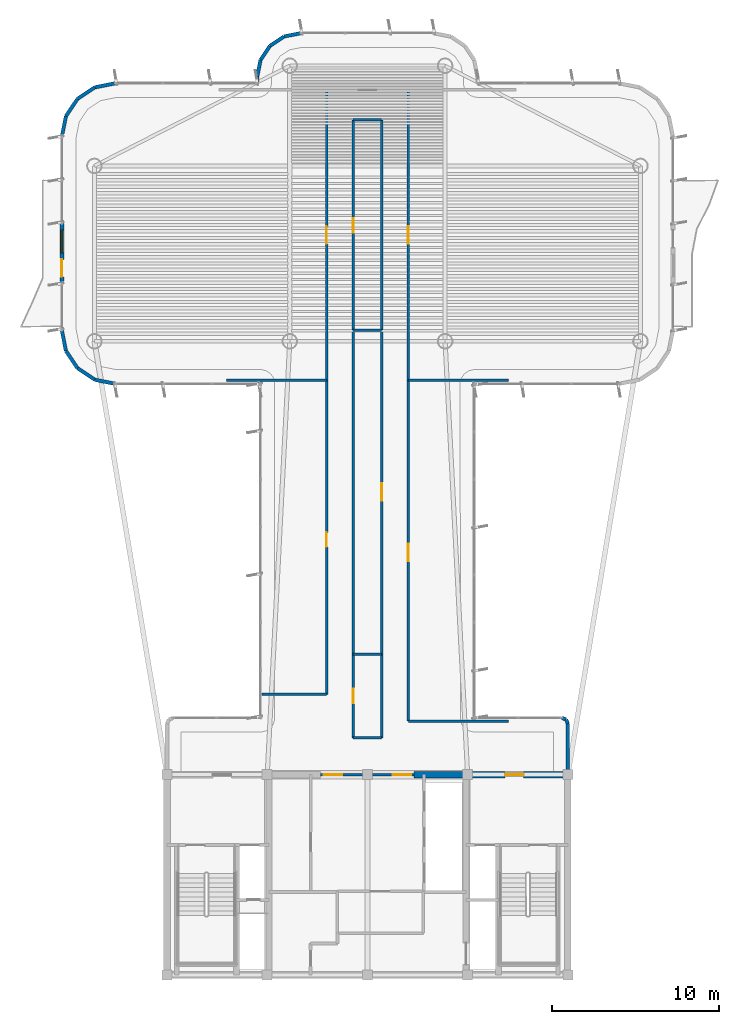
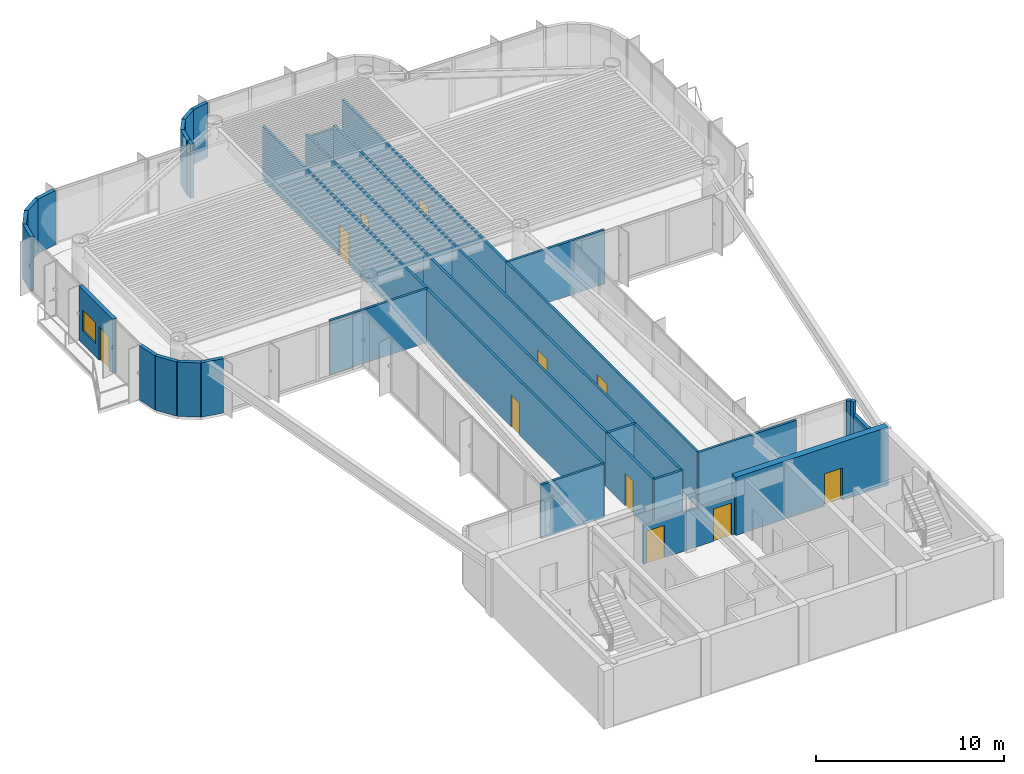
# One storey, part 11 of 14: 37 walls, 11 doors, 1 window, 12 openings.
"""IFC4 building model written with IfcOpenShell, lengths in metres."""

import ifcopenshell
import ifcopenshell.guid

model = None  # the IFC model being written
_history = None  # IfcOwnerHistory: only IFC2X3 demands one
_inside = {}  # id of a spatial element -> (the spatial element, [elements in it])
_under = {}  # id of a project, library or spatial element -> (it, [spatial elements below it])
_declared = {}  # id of a project -> (the project, [libraries it declares])
_typed = {}  # id of a type object -> (the type object, [elements of that type])
_made_of = {}  # id of a material, layer set ... -> (it, [elements and type objects made of it])


def new_model(schema):
    """Start an empty IFC model of exactly this schema.

    Asked for "IFC4X3", IfcOpenShell would pick the latest addendum, in which some entities
    have other attributes; the version numbers below select the first issue.
    IFC2X3 requires an IfcOwnerHistory on every rooted entity: one is made here for all.
    """
    global model, _history
    if schema == "IFC4X3":
        model = ifcopenshell.file(schema_version=(4, 3, 0, 0))
    else:
        model = ifcopenshell.file(schema=schema)
    _inside.clear()
    _under.clear()
    _declared.clear()
    _typed.clear()
    _made_of.clear()
    _history = None
    if model.schema == "IFC2X3":
        org = make("IfcOrganization", Name="unknown")
        user = make(
            "IfcPersonAndOrganization",
            ThePerson=make("IfcPerson", FamilyName="unknown"),
            TheOrganization=org,
        )
        app = make(
            "IfcApplication",
            ApplicationDeveloper=org,
            Version="unknown",
            ApplicationFullName="unknown",
            ApplicationIdentifier="unknown",
        )
        _history = make(
            "IfcOwnerHistory",
            OwningUser=user,
            OwningApplication=app,
            ChangeAction="ADDED",
            CreationDate=0,
        )
    return model


def make(cls, **values):
    """One entity of the class cls with the attributes given. An attribute that is None is left unset."""
    return model.create_entity(
        cls, **{name: value for name, value in values.items() if value is not None}
    )


def rooted(cls, **values):
    """An entity with a GlobalId (a new one), such as an element, a storey or a relation."""
    return make(cls, GlobalId=ifcopenshell.guid.new(), OwnerHistory=_history, **values)


def si_unit(unit_type, name, prefix=None):
    """IfcSIUnit, for example si_unit("LENGTHUNIT", "METRE", prefix="MILLI")."""
    return make("IfcSIUnit", UnitType=unit_type, Prefix=prefix, Name=name)


def assignment(units):
    """IfcUnitAssignment: the units of a project."""
    return None if units is None else make("IfcUnitAssignment", Units=units)


def point(xyz):
    """IfcCartesianPoint."""
    return None if xyz is None else make("IfcCartesianPoint", Coordinates=xyz)


def direction(xyz):
    """IfcDirection."""
    return None if xyz is None else make("IfcDirection", DirectionRatios=xyz)


def frame(location, z_axis=None, x_axis=None):
    """IfcAxis2Placement3D, a coordinate frame: its origin and axes. An axis left out is left unset."""
    return make(
        "IfcAxis2Placement3D",
        Location=point(location),
        Axis=direction(z_axis),
        RefDirection=direction(x_axis),
    )


def frame_2d(location, x_axis=None):
    """IfcAxis2Placement2D, a coordinate frame in the plane: its origin and x axis."""
    return make(
        "IfcAxis2Placement2D", Location=point(location), RefDirection=direction(x_axis)
    )


def origin():
    """The frame at (0, 0, 0) with its axes left unset."""
    return frame((0.0, 0.0, 0.0))


def origin_2d():
    """The frame at (0, 0) in the plane with its x axis left unset."""
    return frame_2d((0.0, 0.0))


def place(relative_to, where):
    """IfcLocalPlacement: puts the frame where relative to a parent placement (None: the world)."""
    return make(
        "IfcLocalPlacement", PlacementRelTo=relative_to, RelativePlacement=where
    )


def context(
    kind, dimensions, precision=None, world=None, true_north=None, identifier=None
):
    """IfcGeometricRepresentationContext, for example the 3D "Model" context."""
    return make(
        "IfcGeometricRepresentationContext",
        ContextIdentifier=identifier,
        ContextType=kind,
        CoordinateSpaceDimension=dimensions,
        Precision=precision,
        WorldCoordinateSystem=world,
        TrueNorth=true_north,
    )


def subcontext(parent, identifier, kind, view, scale=None):
    """IfcGeometricRepresentationSubContext, for example "Body" below "Model"."""
    return make(
        "IfcGeometricRepresentationSubContext",
        ContextIdentifier=identifier,
        ContextType=kind,
        ParentContext=parent,
        TargetScale=scale,
        TargetView=view,
    )


def project(units=None, contexts=None):
    """IfcProject with its units and contexts."""
    return rooted(
        "IfcProject",
        Name="project",
        RepresentationContexts=contexts,
        UnitsInContext=assignment(units),
    )


def spatial(cls, under=None, at=None, **own):
    """A site, building, storey or space (cls), placed at a placement, below another one or the project."""
    s = rooted(cls, ObjectPlacement=at, **own)
    if under is not None:
        _under.setdefault(under.id(), (under, []))[1].append(s)
    return s


def profile(cls, at=None, kind="AREA", **sizes):
    """A parametric profile (cls). Its sizes go by their IFC names, for example OverallWidth=200.0."""
    return make(cls, ProfileType=kind, Position=at, **sizes)


def rectangle(**sizes):
    """IfcRectangleProfileDef."""
    return profile("IfcRectangleProfileDef", **sizes)


def extrude(swept, where, along, depth):
    """IfcExtrudedAreaSolid: the profile swept, set in the frame where, extruded along a direction by depth."""
    return make(
        "IfcExtrudedAreaSolid",
        SweptArea=swept,
        Position=where,
        ExtrudedDirection=direction(along),
        Depth=depth,
    )


def shape(context_of_items, identifier, shape_type, items):
    """IfcShapeRepresentation: the items that make up one representation, for example the "Body"."""
    return make(
        "IfcShapeRepresentation",
        ContextOfItems=context_of_items,
        RepresentationIdentifier=identifier,
        RepresentationType=shape_type,
        Items=items,
    )


def source(mapping_origin, context_of_items, identifier, shape_type, items):
    """IfcRepresentationMap: a shape defined once, which mapped items show again and again."""
    return make(
        "IfcRepresentationMap",
        MappingOrigin=mapping_origin,
        MappedRepresentation=shape(context_of_items, identifier, shape_type, items),
    )


def transform(
    local_origin,
    x_axis=None,
    y_axis=None,
    z_axis=None,
    scale=None,
    scale2=None,
    scale3=None,
    uniform=True,
):
    """IfcCartesianTransformationOperator3D, or its non-uniform kind. x_axis, y_axis, z_axis: its Axis1, 2, 3."""
    if uniform:
        return make(
            "IfcCartesianTransformationOperator3D",
            Axis1=direction(x_axis),
            Axis2=direction(y_axis),
            LocalOrigin=point(local_origin),
            Scale=scale,
            Axis3=direction(z_axis),
        )
    return make(
        "IfcCartesianTransformationOperator3DnonUniform",
        Axis1=direction(x_axis),
        Axis2=direction(y_axis),
        LocalOrigin=point(local_origin),
        Scale=scale,
        Axis3=direction(z_axis),
        Scale2=scale2,
        Scale3=scale3,
    )


def mapped(mapping_source, mapping_target):
    """IfcMappedItem: shows the shape of a source again, moved by a transform."""
    return make(
        "IfcMappedItem", MappingSource=mapping_source, MappingTarget=mapping_target
    )


def material(Name=None, Category=None):
    """IfcMaterial."""
    return make("IfcMaterial", Name=Name, Category=Category)


def layer(
    of_material, thickness, ventilated=None, Name=None, Category=None, Priority=None
):
    """IfcMaterialLayer: one layer of a wall or slab, of a material (None: an air gap)."""
    return make(
        "IfcMaterialLayer",
        Material=of_material,
        LayerThickness=thickness,
        IsVentilated=ventilated,
        Name=Name,
        Category=Category,
        Priority=Priority,
    )


def layer_set(layers, Name=None):
    """IfcMaterialLayerSet."""
    return make("IfcMaterialLayerSet", MaterialLayers=layers, LayerSetName=Name)


def made_of(thing, what):
    """Note that an element or type object is made of a material, layer set ...; save() writes the relation."""
    if what is not None:
        _made_of.setdefault(what.id(), (what, []))[1].append(thing)
    return thing


def type_object(cls, material=None, **own):
    """A type object (cls), such as IfcWallType, which elements share."""
    return made_of(rooted(cls, **own), material)


def element(
    cls,
    number,
    at=None,
    inside=None,
    cuts=None,
    type_object=None,
    material=None,
    context=None,
    identifier="Body",
    shape_type=None,
    held_by="IfcProductDefinitionShape",
    body=None,
    shapes=None,
    **own,
):
    """One element of the class cls, such as IfcWall. Its Tag is "e" and its number.

    at: its placement. inside: the storey or other place that contains it. cuts: it is an
    opening in that element (IfcRelVoidsElement). A single representation is given by context,
    identifier, shape_type and body (its items); several are given by shapes. held_by: the class
    of the entity that holds the representations. save() writes the other relations.
    """
    e = rooted(cls, Tag="e%d" % number, ObjectPlacement=at, **own)
    if body is not None:
        shapes = [shape(context, identifier, shape_type, body)]
    if shapes is not None:
        e.Representation = make(held_by, Representations=shapes)
    if inside is not None:
        _inside.setdefault(inside.id(), (inside, []))[1].append(e)
    if cuts is not None:
        rooted(
            "IfcRelVoidsElement", RelatingBuildingElement=cuts, RelatedOpeningElement=e
        )
    if type_object is not None:
        _typed.setdefault(type_object.id(), (type_object, []))[1].append(e)
    return made_of(e, material)


def fill(opening, filler):
    """IfcRelFillsElement: the door or window that sits in an opening."""
    return rooted(
        "IfcRelFillsElement",
        RelatingOpeningElement=opening,
        RelatedBuildingElement=filler,
    )


def aggregate(whole, parts):
    """IfcRelAggregates: a whole, such as a stair, and the parts it consists of."""
    return rooted("IfcRelAggregates", RelatingObject=whole, RelatedObjects=parts)


def save(model, path):
    """Write the relations noted so far, then the file.

    IfcRelAggregates (storeys below a building ...), IfcRelContainedInSpatialStructure (elements
    in a storey), IfcRelDefinesByType, IfcRelAssociatesMaterial and IfcRelDeclares: one each for
    every whole, place, type object, material and project.
    """
    for whole, parts in _under.values():
        aggregate(whole, parts)
    for where, things in _inside.values():
        rooted(
            "IfcRelContainedInSpatialStructure",
            RelatedElements=things,
            RelatingStructure=where,
        )
    for kind, things in _typed.values():
        rooted("IfcRelDefinesByType", RelatedObjects=things, RelatingType=kind)
    for what, things in _made_of.values():
        rooted("IfcRelAssociatesMaterial", RelatedObjects=things, RelatingMaterial=what)
    for by, libraries in _declared.values():
        rooted("IfcRelDeclares", RelatingContext=by, RelatedDefinitions=libraries)
    model.write(path)


model = new_model("IFC4")

# Units and contexts
model_context = context("Model", 3, precision=1e-05, world=origin(), true_north=direction((0.0, 1.0)))
body_context = subcontext(model_context, "Body", "Model", "MODEL_VIEW")
ifc_project = project(units=[si_unit("LENGTHUNIT", "METRE"), si_unit("AREAUNIT", "SQUARE_METRE"), si_unit("VOLUMEUNIT", "CUBIC_METRE"), si_unit("PLANEANGLEUNIT", "RADIAN"), si_unit("MASSUNIT", "GRAM", prefix="KILO")], contexts=[model_context])

# Site, building, storey
site_placement = place(None, origin())
site = spatial("IfcSite", under=ifc_project, at=site_placement, CompositionType="ELEMENT")
building_placement = place(site_placement, origin())
building = spatial("IfcBuilding", under=site, at=building_placement, Name="Brelvock Crest Care Tower", CompositionType="ELEMENT")
storey_placement = place(building_placement, frame((0.0, 0.0, 253.260009765625)))
storey = spatial("IfcBuildingStorey", under=building, at=storey_placement, Name="L64", CompositionType="ELEMENT", Elevation=253.260009765625)

# Wall, opening, door
ifc_material_1 = material(Name="Concrete S65 (65 MPa)", Category="concrete")
ifc_layer_1 = layer(ifc_material_1, 0.39990234375, Name="WL-CS4")
ifc_layer_set_1 = layer_set([ifc_layer_1], Name="Concrete S65 (65 MPa)")
wall_type_1 = type_object("IfcWallType", Name="WL-CS4", PredefinedType="SHEAR", material=ifc_layer_set_1)
wall_1_placement = place(storey_placement, frame((38.800048828125, 18.0, 0.0), z_axis=(0.0, 0.0, 1.0), x_axis=(1.0, 0.0, 0.0)))
wall_1 = element("IfcWall", 1, at=wall_1_placement, inside=storey, type_object=wall_type_1, Name="L64 Core North-East Shear Wall", PredefinedType="SHEAR", context=body_context, shape_type="SweptSolid", body=[
    extrude(rectangle(XDim=9.39990234375, YDim=0.39990234375, at=frame_2d((4.699951171875, 0.0))), origin(), (0.0, 0.0, 1.0), 3.780029296875),
])
opening_1_placement = place(wall_1_placement, frame((5.449951171875, 0.0, 0.0)))
opening_1 = element("IfcOpeningElement", 2, at=opening_1_placement, cuts=wall_1, Name="Opening FD-1", PredefinedType="OPENING", context=body_context, shape_type="SweptSolid", body=[
    extrude(rectangle(XDim=1.10009765625, YDim=2.10009765625, at=origin_2d()), frame((0.550048828125, 0.2099609375, 1.050048828125), z_axis=(0.0, -1.0, 0.0), x_axis=(1.0, 0.0, 0.0)), (0.0, 0.0, 1.0), 0.419921875),
])
ifc_material_2 = material(Name="Steel Grade 350", Category="steel")
door_type_1 = type_object("IfcDoorType", Name="DR-FFL1", OperationType="NOTDEFINED", PredefinedType="DOOR", material=ifc_material_2)
shared_shape_1 = source(origin(), body_context, "Body", "SweptSolid", [
    extrude(rectangle(XDim=1.10009765625, YDim=2.10009765625, at=origin_2d()), frame((0.550048828125, 0.02490234375, 1.050048828125), z_axis=(0.0, -1.0, 0.0), x_axis=(1.0, 0.0, 0.0)), (0.0, 0.0, 1.0), 0.050048828125),
])
door_1_placement = place(opening_1_placement, origin())
door_1 = element("IfcDoor", 3, at=door_1_placement, inside=storey, type_object=door_type_1, Name="L64 Firefighting Lobby FFL-2 Exit Door", OperationType="SINGLE_SWING_RIGHT", OverallHeight=2.10009765625, OverallWidth=1.10009765625, PredefinedType="DOOR", context=body_context, shape_type="MappedRepresentation", body=[
    mapped(shared_shape_1, transform((0.0, 0.0, 0.0), x_axis=(1.0, 0.0, 0.0), y_axis=(0.0, 1.0, 0.0), z_axis=(0.0, 0.0, 1.0), scale=1.0)),
])
fill(opening_1, door_1)

# Wall, openings, door, window
ifc_material_3 = material(Name="Precast concrete N40 (40 MPa)", Category="concrete")
ifc_layer_2 = layer(ifc_material_3, 0.239990234375, Name="WL-EX1")
ifc_layer_set_2 = layer_set([ifc_layer_2], Name="Precast concrete N40 (40 MPa)")
wall_type_2 = type_object("IfcWallType", Name="WL-EX1", PredefinedType="SOLIDWALL", material=ifc_layer_set_2)
wall_2_placement = place(storey_placement, frame((17.699951171875, 47.39990234375, 0.0), z_axis=(0.0, 0.0, 1.0), x_axis=(0.0, 1.0, 0.0)))
wall_2 = element("IfcWall", 4, at=wall_2_placement, inside=storey, type_object=wall_type_2, Name="L64 Exterior Spandrel Wall WL-BAL-L64-W", PredefinedType="SOLIDWALL", context=body_context, shape_type="SweptSolid", body=[
    extrude(rectangle(XDim=3.60009765625, YDim=0.239990234375, at=frame_2d((1.800048828125, 0.0))), origin(), (0.0, 0.0, 1.0), 3.530029296875),
])
opening_2_placement = place(wall_2_placement, frame((0.39990234375, 0.0, 0.0)))
opening_2 = element("IfcOpeningElement", 5, at=opening_2_placement, cuts=wall_2, Name="Opening BD-1", PredefinedType="OPENING", context=body_context, shape_type="SweptSolid", body=[
    extrude(rectangle(XDim=1.050048828125, YDim=2.14990234375, at=origin_2d()), frame((0.52490234375, 0.1298828125, 1.074951171875), z_axis=(0.0, -1.0, 0.0), x_axis=(1.0, 0.0, 0.0)), (0.0, 0.0, 1.0), 0.260009765625),
])
opening_3_placement = place(wall_2_placement, frame((1.85009765625, 0.0, 0.85009765625)))
opening_3 = element("IfcOpeningElement", 6, at=opening_3_placement, cuts=wall_2, Name="Opening W-01", PredefinedType="OPENING", context=body_context, shape_type="SweptSolid", body=[
    extrude(rectangle(XDim=1.35009765625, YDim=1.35009765625, at=origin_2d()), frame((0.675048828125, 0.1298828125, 0.675048828125), z_axis=(0.0, -1.0, 0.0), x_axis=(1.0, 0.0, 0.0)), (0.0, 0.0, 1.0), 0.260009765625),
])
ifc_material_4 = material(Name="Dark Glass Double Glazed Low-E", Category="glass")
door_type_2 = type_object("IfcDoorType", Name="DR-BAL1", OperationType="NOTDEFINED", PredefinedType="DOOR", material=ifc_material_4)
shared_shape_2 = source(origin(), body_context, "Body", "SweptSolid", [
    extrude(rectangle(XDim=1.050048828125, YDim=2.14990234375, at=origin_2d()), frame((0.52490234375, 0.02490234375, 1.074951171875), z_axis=(0.0, -1.0, 0.0), x_axis=(1.0, 0.0, 0.0)), (0.0, 0.0, 1.0), 0.050048828125),
])
door_2_placement = place(opening_2_placement, origin())
door_2 = element("IfcDoor", 7, at=door_2_placement, inside=storey, type_object=door_type_2, Name="L64 W Wave Balcony Glazed Door", OperationType="SINGLE_SWING_LEFT", OverallHeight=2.14990234375, OverallWidth=1.050048828125, PredefinedType="DOOR", context=body_context, shape_type="MappedRepresentation", body=[
    mapped(shared_shape_2, transform((0.0, 0.0, 0.0), x_axis=(1.0, 0.0, 0.0), y_axis=(0.0, 1.0, 0.0), z_axis=(0.0, 0.0, 1.0), scale=1.0)),
])
fill(opening_2, door_2)
window_type = type_object("IfcWindowType", Name="WN-EX1", PartitioningType="SINGLE_PANEL", PredefinedType="WINDOW", material=ifc_material_4)
shared_shape_3 = source(origin(), body_context, "Body", "SweptSolid", [
    extrude(rectangle(XDim=1.35009765625, YDim=1.35009765625, at=origin_2d()), frame((0.675048828125, 0.030029296875, 0.675048828125), z_axis=(0.0, -1.0, 0.0), x_axis=(1.0, 0.0, 0.0)), (0.0, 0.0, 1.0), 0.06005859375),
])
window_placement = place(opening_3_placement, origin())
window = element("IfcWindow", 8, at=window_placement, inside=storey, type_object=window_type, Name="L64 W Suite Casement Window", OverallHeight=1.35009765625, OverallWidth=1.35009765625, PartitioningType="SINGLE_PANEL", PredefinedType="WINDOW", context=body_context, shape_type="MappedRepresentation", body=[
    mapped(shared_shape_3, transform((0.0, 0.0, 0.0), x_axis=(1.0, 0.0, 0.0), y_axis=(0.0, 1.0, 0.0), z_axis=(0.0, 0.0, 1.0), scale=1.0)),
])
fill(opening_3, window)

# Walls
ifc_layer_3 = layer(ifc_material_3, 0.215087890625, Name="WL-EX2")
ifc_layer_set_3 = layer_set([ifc_layer_3], Name="Precast concrete N40 (40 MPa)")
wall_type_3 = type_object("IfcWallType", Name="WL-EX2", PredefinedType="SOLIDWALL", material=ifc_layer_set_3)
wall_3_placement = place(storey_placement, frame((47.8974609375, 21.297607421875, 0.0), z_axis=(0.0, 0.0, 1.0), x_axis=(0.382673670509, -0.923883575944, 0.0)))
element("IfcWall", 9, at=wall_3_placement, inside=storey, type_object=wall_type_3, Name="L64 Rounded Corner Wall 00", PredefinedType="SOLIDWALL", context=body_context, shape_type="SweptSolid", body=[
    extrude(rectangle(XDim=0.26806640625, YDim=0.215087890625, at=frame_2d((0.134033203125, 0.0))), origin(), (0.0, 0.0, 1.0), 3.530029296875),
])
wall_4_placement = place(storey_placement, frame((48.0, 21.050048828125, 0.0), z_axis=(0.0, 0.0, 1.0), x_axis=(0.0, -1.0, 0.0)))
element("IfcWall", 10, at=wall_4_placement, inside=storey, type_object=wall_type_3, Name="L64 Rounded Corner Wall 01", PredefinedType="SOLIDWALL", context=body_context, shape_type="SweptSolid", body=[
    extrude(rectangle(XDim=2.77001953125, YDim=0.215087890625, at=frame_2d((1.385009765625, 0.0))), origin(), (0.0, 0.0, 1.0), 2.718017578125),
])
for number, where, z_axis, x_axis, name in (
    (11, (20.89990234375, 41.39990234375, 0.0), (0.0, 0.0, 1.0), (-0.980775717779, 0.195138390419, 0.0), "L64 Rounded Corner Wall 13"),
    (12, (19.67529296875, 41.6435546875, 0.0), (0.0, 0.0, 1.0), (-0.831387912822, 0.555692485475, 0.0), "L64 Rounded Corner Wall 14"),
    (13, (18.63720703125, 42.33740234375, 0.0), (0.0, 0.0, 1.0), (-0.555557312883, 0.831478245117, 0.0), "L64 Rounded Corner Wall 15"),
    (14, (17.943603515625, 43.37548828125, 0.0), (0.0, 0.0, 1.0), (-0.195138390419, 0.980775717779, 0.0), "L64 Rounded Corner Wall 16"),
    (15, (17.699951171875, 56.199951171875, 0.0), (0.0, 0.0, 1.0), (0.195138390419, 0.980775717779, 0.0), "L64 Rounded Corner Wall 18"),
    (16, (17.943603515625, 57.424560546875, 0.0), (0.0, 0.0, 1.0), (0.555557312883, 0.831478245117, 0.0), "L64 Rounded Corner Wall 19"),
    (17, (18.63720703125, 58.462646484375, 0.0), (0.0, 0.0, 1.0), (0.831387912822, 0.555692485475, 0.0), "L64 Rounded Corner Wall 20"),
    (18, (19.67529296875, 59.156494140625, 0.0), (0.0, 0.0, 1.0), (0.980813122964, 0.194950295773, 0.0), "L64 Rounded Corner Wall 21"),
):
    element("IfcWall", number, at=place(storey_placement, frame(where, z_axis=z_axis, x_axis=x_axis)), inside=storey, type_object=wall_type_3, Name=name, PredefinedType="SOLIDWALL", context=body_context, shape_type="SweptSolid", body=[
        extrude(rectangle(XDim=1.24853515625, YDim=0.215087890625, at=frame_2d((0.624267578125, 0.0))), origin(), (0.0, 0.0, 1.0), 3.530029296875),
    ])
wall_5_placement = place(storey_placement, frame((29.39990234375, 59.39990234375, 0.0), z_axis=(0.0, 0.0, 1.0), x_axis=(0.0, 1.0, 0.0)))
element("IfcWall", 19, at=wall_5_placement, inside=storey, type_object=wall_type_3, Name="L64 Rounded Corner Wall 23", PredefinedType="SOLIDWALL", context=body_context, shape_type="SweptSolid", body=[
    extrude(rectangle(XDim=0.400146484375, YDim=0.215087890625, at=frame_2d((0.2001953125, 0.0))), origin(), (0.0, 0.0, 1.0), 3.530029296875),
])
wall_6_placement = place(storey_placement, frame((29.39990234375, 59.800048828125, 0.0), z_axis=(0.0, 0.0, 1.0), x_axis=(0.195190360752, 0.980765376158, 0.0)))
element("IfcWall", 20, at=wall_6_placement, inside=storey, type_object=wall_type_3, Name="L64 Rounded Corner Wall 24", PredefinedType="SOLIDWALL", context=body_context, shape_type="SweptSolid", body=[
    extrude(rectangle(XDim=1.014404296875, YDim=0.215087890625, at=frame_2d((0.50732421875, 0.0))), origin(), (0.0, 0.0, 1.0), 3.530029296875),
])
wall_7_placement = place(storey_placement, frame((29.597900390625, 60.794921875, 0.0), z_axis=(0.0, 0.0, 1.0), x_axis=(0.555643898837, 0.831420385657, 0.0)))
element("IfcWall", 21, at=wall_7_placement, inside=storey, type_object=wall_type_3, Name="L64 Rounded Corner Wall 25", PredefinedType="SOLIDWALL", context=body_context, shape_type="SweptSolid", body=[
    extrude(rectangle(XDim=1.0146484375, YDim=0.215087890625, at=frame_2d((0.50732421875, 0.0))), origin(), (0.0, 0.0, 1.0), 3.530029296875),
])
wall_8_placement = place(storey_placement, frame((30.16162109375, 61.638427734375, 0.0), z_axis=(0.0, 0.0, 1.0), x_axis=(0.831346067305, 0.555755086685, 0.0)))
element("IfcWall", 22, at=wall_8_placement, inside=storey, type_object=wall_type_3, Name="L64 Rounded Corner Wall 26", PredefinedType="SOLIDWALL", context=body_context, shape_type="SweptSolid", body=[
    extrude(rectangle(XDim=1.014404296875, YDim=0.215087890625, at=frame_2d((0.50732421875, 0.0))), origin(), (0.0, 0.0, 1.0), 3.530029296875),
])
wall_9_placement = place(storey_placement, frame((31.0048828125, 62.2021484375, 0.0), z_axis=(0.0, 0.0, 1.0), x_axis=(0.980820570666, 0.194912821943, 0.0)))
element("IfcWall", 23, at=wall_9_placement, inside=storey, type_object=wall_type_3, Name="L64 Rounded Corner Wall 27", PredefinedType="SOLIDWALL", context=body_context, shape_type="SweptSolid", body=[
    extrude(rectangle(XDim=1.0146484375, YDim=0.215087890625, at=frame_2d((0.50732421875, 0.0))), origin(), (0.0, 0.0, 1.0), 3.530029296875),
])
wall_10_placement = place(storey_placement, frame((47.64990234375, 21.39990234375, 0.0), z_axis=(0.0, 0.0, 1.0), x_axis=(0.924205486139, -0.381895560841, 0.0)))
element("IfcWall", 24, at=wall_10_placement, inside=storey, type_object=wall_type_3, Name="L64 Rounded Corner Wall 47", PredefinedType="SOLIDWALL", context=body_context, shape_type="SweptSolid", body=[
    extrude(rectangle(XDim=0.267822265625, YDim=0.215087890625, at=frame_2d((0.1337890625, 0.0))), origin(), (0.0, 0.0, 1.0), 3.530029296875),
])

# Wall, openings, doors
ifc_material_5 = material(Name="Masonry Blockwork Acoustic Partition", Category="masonry")
ifc_layer_4 = layer(ifc_material_5, 0.14990234375, Name="WL-INT1")
ifc_layer_set_4 = layer_set([ifc_layer_4], Name="Masonry Blockwork Acoustic Partition")
wall_type_4 = type_object("IfcWallType", Name="WL-INT1", PredefinedType="PARTITIONING", material=ifc_layer_set_4)
wall_11_placement = place(storey_placement, frame((33.199951171875, 18.0, 0.0), z_axis=(0.0, 0.0, 1.0), x_axis=(1.0, 0.0, 0.0)))
wall_11 = element("IfcWall", 25, at=wall_11_placement, inside=storey, type_object=wall_type_4, Name="L64 Interior Wall WL-CORE-NPORT-L64", PredefinedType="PARTITIONING", context=body_context, shape_type="SweptSolid", body=[
    extrude(rectangle(XDim=5.60009765625, YDim=0.14990234375, at=frame_2d((2.800048828125, 0.0))), origin(), (0.0, 0.0, 1.0), 2.514892578125),
])
opening_4_placement = place(wall_11_placement, frame((0.18994140625, 0.0, 0.0)))
opening_4 = element("IfcOpeningElement", 26, at=opening_4_placement, cuts=wall_11, Name="Opening FD-1", PredefinedType="OPENING", context=body_context, shape_type="SweptSolid", body=[
    extrude(rectangle(XDim=1.10009765625, YDim=2.10009765625, at=origin_2d()), frame((0.550048828125, 0.0849609375, 1.050048828125), z_axis=(0.0, -1.0, 0.0), x_axis=(1.0, 0.0, 0.0)), (0.0, 0.0, 1.0), 0.169921875),
])
opening_5_placement = place(wall_11_placement, frame((4.31005859375, 0.0, 0.0)))
opening_5 = element("IfcOpeningElement", 27, at=opening_5_placement, cuts=wall_11, Name="Opening FD-1", PredefinedType="OPENING", context=body_context, shape_type="SweptSolid", body=[
    extrude(rectangle(XDim=1.10009765625, YDim=2.10009765625, at=origin_2d()), frame((0.550048828125, 0.0849609375, 1.050048828125), z_axis=(0.0, -1.0, 0.0), x_axis=(1.0, 0.0, 0.0)), (0.0, 0.0, 1.0), 0.169921875),
])
door_3_placement = place(opening_4_placement, origin())
door_3 = element("IfcDoor", 28, at=door_3_placement, inside=storey, type_object=door_type_1, Name="L64 Lift Lobby North Smoke Door West", OperationType="SINGLE_SWING_LEFT", OverallHeight=2.10009765625, OverallWidth=1.10009765625, PredefinedType="DOOR", context=body_context, shape_type="MappedRepresentation", body=[
    mapped(shared_shape_1, transform((0.0, 0.0, 0.0), x_axis=(1.0, 0.0, 0.0), y_axis=(0.0, 1.0, 0.0), z_axis=(0.0, 0.0, 1.0), scale=1.0)),
])
fill(opening_4, door_3)
door_4_placement = place(opening_5_placement, origin())
door_4 = element("IfcDoor", 29, at=door_4_placement, inside=storey, type_object=door_type_1, Name="L64 Lift Lobby North Smoke Door East", OperationType="SINGLE_SWING_RIGHT", OverallHeight=2.10009765625, OverallWidth=1.10009765625, PredefinedType="DOOR", context=body_context, shape_type="MappedRepresentation", body=[
    mapped(shared_shape_1, transform((0.0, 0.0, 0.0), x_axis=(1.0, 0.0, 0.0), y_axis=(0.0, 1.0, 0.0), z_axis=(0.0, 0.0, 1.0), scale=1.0)),
])
fill(opening_5, door_4)

# Walls
wall_12_placement = place(storey_placement, frame((38.449951171875, 21.199951171875, 0.0), z_axis=(0.0, 0.0, 1.0), x_axis=(1.0, 0.0, 0.0)))
element("IfcWall", 30, at=wall_12_placement, inside=storey, type_object=wall_type_4, Name="L64 Interior Wall WL-BX-L64-THRE-S", PredefinedType="PARTITIONING", context=body_context, shape_type="SweptSolid", body=[
    extrude(rectangle(XDim=5.9931640625, YDim=0.14990234375, at=frame_2d((2.99658203125, 0.0))), origin(), (0.0, 0.0, 1.0), 3.5),
])
wall_13_placement = place(storey_placement, frame((29.678466796875, 22.800048828125, 0.0), z_axis=(0.0, 0.0, 1.0), x_axis=(1.0, 0.0, 0.0)))
element("IfcWall", 31, at=wall_13_placement, inside=storey, type_object=wall_type_4, Name="L64 Interior Wall WL-BX-L64-THRW-S", PredefinedType="PARTITIONING", context=body_context, shape_type="SweptSolid", body=[
    extrude(rectangle(XDim=3.87158203125, YDim=0.14990234375, at=frame_2d((1.935791015625, 0.0))), origin(), (0.0, 0.0, 1.0), 3.5),
])
wall_14_placement = place(storey_placement, frame((27.557861328125, 41.60009765625, 0.0), z_axis=(0.0, 0.0, 1.0), x_axis=(1.0, 0.0, 0.0)))
element("IfcWall", 32, at=wall_14_placement, inside=storey, type_object=wall_type_4, Name="L64 Interior Wall WL-BX-L64-THRW-N", PredefinedType="PARTITIONING", context=body_context, shape_type="SweptSolid", body=[
    extrude(rectangle(XDim=5.9921875, YDim=0.14990234375, at=frame_2d((2.99609375, 0.0))), origin(), (0.0, 0.0, 1.0), 3.5),
])
wall_15_placement = place(storey_placement, frame((38.449951171875, 41.60009765625, 0.0), z_axis=(0.0, 0.0, 1.0), x_axis=(1.0, 0.0, 0.0)))
element("IfcWall", 33, at=wall_15_placement, inside=storey, type_object=wall_type_4, Name="L64 Interior Wall WL-BX-L64-ECLB-S", PredefinedType="PARTITIONING", context=body_context, shape_type="SweptSolid", body=[
    extrude(rectangle(XDim=5.993408203125, YDim=0.14990234375, at=frame_2d((2.99658203125, 0.0))), origin(), (0.0, 0.0, 1.0), 3.5),
])
wall_16_placement = place(storey_placement, frame((35.14990234375, 44.6201171875, 0.0), z_axis=(0.0, 0.0, 1.0), x_axis=(1.0, 0.0, 0.0)))
element("IfcWall", 34, at=wall_16_placement, inside=storey, type_object=wall_type_4, Name="L64 Interior Wall WL-BX-L64-ISKT-S", PredefinedType="PARTITIONING", context=body_context, shape_type="SweptSolid", body=[
    extrude(rectangle(XDim=1.7001953125, YDim=0.14990234375, at=frame_2d((0.85009765625, 0.0))), origin(), (0.0, 0.0, 1.0), 3.259033203125),
])
wall_17_placement = place(storey_placement, frame((35.14990234375, 57.199951171875, 0.0), z_axis=(0.0, 0.0, 1.0), x_axis=(1.0, 0.0, 0.0)))
element("IfcWall", 35, at=wall_17_placement, inside=storey, type_object=wall_type_4, Name="L64 Interior Wall WL-BX-L64-ISKT-N", PredefinedType="PARTITIONING", context=body_context, shape_type="SweptSolid", body=[
    extrude(rectangle(XDim=1.7001953125, YDim=0.14990234375, at=frame_2d((0.85009765625, 0.0))), origin(), (0.0, 0.0, 1.0), 3.30810546875),
])

# Wall, opening, door
wall_18_placement = place(storey_placement, frame((33.550048828125, 22.800048828125, 0.0), z_axis=(0.0, 0.0, 1.0), x_axis=(0.0, 1.0, 0.0)))
wall_18 = element("IfcWall", 36, at=wall_18_placement, inside=storey, type_object=wall_type_4, Name="L64 Interior Wall WL-RM-L64-THRW", PredefinedType="PARTITIONING", context=body_context, shape_type="SweptSolid", body=[
    extrude(rectangle(XDim=18.800048828125, YDim=0.14990234375, at=frame_2d((9.39990234375, 0.0))), origin(), (0.0, 0.0, 1.0), 3.5),
])
opening_6_placement = place(wall_18_placement, frame((8.840087890625, 0.0, 0.0)))
opening_6 = element("IfcOpeningElement", 37, at=opening_6_placement, cuts=wall_18, Name="Opening ID-1", PredefinedType="OPENING", context=body_context, shape_type="SweptSolid", body=[
    extrude(rectangle(XDim=0.860107421875, YDim=2.10009765625, at=origin_2d()), frame((0.43017578125, 0.0849609375, 1.050048828125), z_axis=(0.0, -1.0, 0.0), x_axis=(1.0, 0.0, 0.0)), (0.0, 0.0, 1.0), 0.169921875),
])
ifc_material_6 = material(Name="Engineered Hardwood Timber", Category="wood")
door_type_3 = type_object("IfcDoorType", Name="DR-INT1", OperationType="NOTDEFINED", PredefinedType="DOOR", material=ifc_material_6)
shared_shape_4 = source(origin(), body_context, "Body", "SweptSolid", [
    extrude(rectangle(XDim=0.860107421875, YDim=2.10009765625, at=origin_2d()), frame((0.43017578125, 0.02490234375, 1.050048828125), z_axis=(0.0, -1.0, 0.0), x_axis=(1.0, 0.0, 0.0)), (0.0, 0.0, 1.0), 0.050048828125),
])
door_5_placement = place(opening_6_placement, origin())
door_5 = element("IfcDoor", 38, at=door_5_placement, inside=storey, type_object=door_type_3, Name="L64 Quiet Family Consultation Room Door THRW", OperationType="SINGLE_SWING_LEFT", OverallHeight=2.10009765625, OverallWidth=0.860107421875, PredefinedType="DOOR", context=body_context, shape_type="MappedRepresentation", body=[
    mapped(shared_shape_4, transform((0.0, 0.0, 0.0), x_axis=(1.0, 0.0, 0.0), y_axis=(0.0, 1.0, 0.0), z_axis=(0.0, 0.0, 1.0), scale=1.0)),
])
fill(opening_6, door_5)

wall_19_placement = place(storey_placement, frame((33.550048828125, 41.60009765625, 0.0), z_axis=(0.0, 0.0, 1.0), x_axis=(0.0, 1.0, 0.0)))
wall_19 = element("IfcWall", 39, at=wall_19_placement, inside=storey, type_object=wall_type_4, Name="L64 Interior Wall WL-RM-L64-WCLB", PredefinedType="PARTITIONING", context=body_context, shape_type="SweptSolid", body=[
    extrude(rectangle(XDim=17.39990234375, YDim=0.14990234375, at=frame_2d((8.699951171875, 0.0))), origin(), (0.0, 0.0, 1.0), 3.5),
])
opening_7_placement = place(wall_19_placement, frame((8.175048828125, 0.0, 0.0)))
opening_7 = element("IfcOpeningElement", 40, at=opening_7_placement, cuts=wall_19, Name="Opening CLD-1", PredefinedType="OPENING", context=body_context, shape_type="SweptSolid", body=[
    extrude(rectangle(XDim=1.050048828125, YDim=2.10009765625, at=origin_2d()), frame((0.52490234375, 0.0849609375, 1.050048828125), z_axis=(0.0, -1.0, 0.0), x_axis=(1.0, 0.0, 0.0)), (0.0, 0.0, 1.0), 0.169921875),
])
door_type_4 = type_object("IfcDoorType", Name="DR-CLN1", OperationType="NOTDEFINED", PredefinedType="DOOR", material=ifc_material_6)
shared_shape_5 = source(origin(), body_context, "Body", "SweptSolid", [
    extrude(rectangle(XDim=1.050048828125, YDim=2.10009765625, at=origin_2d()), frame((0.52490234375, 0.02490234375, 1.050048828125), z_axis=(0.0, -1.0, 0.0), x_axis=(1.0, 0.0, 0.0)), (0.0, 0.0, 1.0), 0.050048828125),
])
door_6_placement = place(opening_7_placement, origin())
door_6 = element("IfcDoor", 41, at=door_6_placement, inside=storey, type_object=door_type_4, Name="L64 Sky Harbour Club Lounge Door WCLB", OperationType="SINGLE_SWING_LEFT", OverallHeight=2.10009765625, OverallWidth=1.050048828125, PredefinedType="DOOR", context=body_context, shape_type="MappedRepresentation", body=[
    mapped(shared_shape_5, transform((0.0, 0.0, 0.0), x_axis=(1.0, 0.0, 0.0), y_axis=(0.0, 1.0, 0.0), z_axis=(0.0, 0.0, 1.0), scale=1.0)),
])
fill(opening_7, door_6)

# Wall
wall_20_placement = place(storey_placement, frame((35.14990234375, 25.199951171875, 0.0), z_axis=(0.0, 0.0, 1.0), x_axis=(0.0, 1.0, 0.0)))
element("IfcWall", 42, at=wall_20_placement, inside=storey, type_object=wall_type_4, Name="L64 Interior Wall WL-BX-L64-ISNS-W", PredefinedType="PARTITIONING", context=body_context, shape_type="SweptSolid", body=[
    extrude(rectangle(XDim=19.420166015625, YDim=0.14990234375, at=frame_2d((9.7099609375, 0.0))), origin(), (0.0, 0.0, 1.0), 3.5),
])

# Wall, opening, door
wall_21_placement = place(storey_placement, frame((35.14990234375, 44.6201171875, 0.0), z_axis=(0.0, 0.0, 1.0), x_axis=(0.0, 1.0, 0.0)))
wall_21 = element("IfcWall", 43, at=wall_21_placement, inside=storey, type_object=wall_type_4, Name="L64 Interior Wall WL-RM-L64-ISKT", PredefinedType="PARTITIONING", context=body_context, shape_type="SweptSolid", body=[
    extrude(rectangle(XDim=12.579833984375, YDim=0.14990234375, at=frame_2d((6.2900390625, 0.0))), origin(), (0.0, 0.0, 1.0), 3.5),
])
opening_8_placement = place(wall_21_placement, frame((5.830078125, 0.0, 0.0)))
opening_8 = element("IfcOpeningElement", 44, at=opening_8_placement, cuts=wall_21, Name="Opening ID-1", PredefinedType="OPENING", context=body_context, shape_type="SweptSolid", body=[
    extrude(rectangle(XDim=0.860107421875, YDim=2.10009765625, at=origin_2d()), frame((0.43017578125, 0.0849609375, 1.050048828125), z_axis=(0.0, -1.0, 0.0), x_axis=(1.0, 0.0, 0.0)), (0.0, 0.0, 1.0), 0.169921875),
])
door_7_placement = place(opening_8_placement, origin())
door_7 = element("IfcDoor", 45, at=door_7_placement, inside=storey, type_object=door_type_3, Name="L64 Communal Tea and Nutrition Pantry Door ISKT", OperationType="SINGLE_SWING_LEFT", OverallHeight=2.10009765625, OverallWidth=0.860107421875, PredefinedType="DOOR", context=body_context, shape_type="MappedRepresentation", body=[
    mapped(shared_shape_4, transform((0.0, 0.0, 0.0), x_axis=(1.0, 0.0, 0.0), y_axis=(0.0, 1.0, 0.0), z_axis=(0.0, 0.0, 1.0), scale=1.0)),
])
fill(opening_8, door_7)

wall_22_placement = place(storey_placement, frame((36.85009765625, 25.199951171875, 0.0), z_axis=(0.0, 0.0, 1.0), x_axis=(0.0, 1.0, 0.0)))
wall_22 = element("IfcWall", 46, at=wall_22_placement, inside=storey, type_object=wall_type_4, Name="L64 Interior Wall WL-RM-L64-ISNS", PredefinedType="PARTITIONING", context=body_context, shape_type="SweptSolid", body=[
    extrude(rectangle(XDim=19.420166015625, YDim=0.14990234375, at=frame_2d((9.7099609375, 0.0))), origin(), (0.0, 0.0, 1.0), 3.5),
])
opening_9_placement = place(wall_22_placement, frame((9.18505859375, 0.0, 0.0)))
opening_9 = element("IfcOpeningElement", 47, at=opening_9_placement, cuts=wall_22, Name="Opening CLD-1", PredefinedType="OPENING", context=body_context, shape_type="SweptSolid", body=[
    extrude(rectangle(XDim=1.050048828125, YDim=2.10009765625, at=origin_2d()), frame((0.52490234375, 0.0849609375, 1.050048828125), z_axis=(0.0, -1.0, 0.0), x_axis=(1.0, 0.0, 0.0)), (0.0, 0.0, 1.0), 0.169921875),
])
door_8_placement = place(opening_9_placement, origin())
door_8 = element("IfcDoor", 48, at=door_8_placement, inside=storey, type_object=door_type_4, Name="L64 Care Concierge and Triage Station Door ISNS", OperationType="SINGLE_SWING_LEFT", OverallHeight=2.10009765625, OverallWidth=1.050048828125, PredefinedType="DOOR", context=body_context, shape_type="MappedRepresentation", body=[
    mapped(shared_shape_5, transform((0.0, 0.0, 0.0), x_axis=(1.0, 0.0, 0.0), y_axis=(0.0, 1.0, 0.0), z_axis=(0.0, 0.0, 1.0), scale=1.0)),
])
fill(opening_9, door_8)

# Wall
wall_23_placement = place(storey_placement, frame((36.85009765625, 44.6201171875, 0.0), z_axis=(0.0, 0.0, 1.0), x_axis=(0.0, 1.0, 0.0)))
element("IfcWall", 49, at=wall_23_placement, inside=storey, type_object=wall_type_4, Name="L64 Interior Wall WL-BX-L64-ISKT-E", PredefinedType="PARTITIONING", context=body_context, shape_type="SweptSolid", body=[
    extrude(rectangle(XDim=12.579833984375, YDim=0.14990234375, at=frame_2d((6.2900390625, 0.0))), origin(), (0.0, 0.0, 1.0), 3.5),
])

# Wall, opening, door
wall_24_placement = place(storey_placement, frame((38.449951171875, 21.199951171875, 0.0), z_axis=(0.0, 0.0, 1.0), x_axis=(0.0, 1.0, 0.0)))
wall_24 = element("IfcWall", 50, at=wall_24_placement, inside=storey, type_object=wall_type_4, Name="L64 Interior Wall WL-RM-L64-THRE", PredefinedType="PARTITIONING", context=body_context, shape_type="SweptSolid", body=[
    extrude(rectangle(XDim=20.400146484375, YDim=0.14990234375, at=frame_2d((10.2001953125, 0.0))), origin(), (0.0, 0.0, 1.0), 3.5),
])
opening_10_placement = place(wall_24_placement, frame((9.574951171875, 0.0, 0.0)))
opening_10 = element("IfcOpeningElement", 51, at=opening_10_placement, cuts=wall_24, Name="Opening CLD-1", PredefinedType="OPENING", context=body_context, shape_type="SweptSolid", body=[
    extrude(rectangle(XDim=1.050048828125, YDim=2.10009765625, at=origin_2d()), frame((0.52490234375, 0.0849609375, 1.050048828125), z_axis=(0.0, -1.0, 0.0), x_axis=(1.0, 0.0, 0.0)), (0.0, 0.0, 1.0), 0.169921875),
])
door_9_placement = place(opening_10_placement, origin())
door_9 = element("IfcDoor", 52, at=door_9_placement, inside=storey, type_object=door_type_4, Name="L64 Allied Health Therapy Room Door THRE", OperationType="SINGLE_SWING_LEFT", OverallHeight=2.10009765625, OverallWidth=1.050048828125, PredefinedType="DOOR", context=body_context, shape_type="MappedRepresentation", body=[
    mapped(shared_shape_5, transform((0.0, 0.0, 0.0), x_axis=(1.0, 0.0, 0.0), y_axis=(0.0, 1.0, 0.0), z_axis=(0.0, 0.0, 1.0), scale=1.0)),
])
fill(opening_10, door_9)

wall_25_placement = place(storey_placement, frame((38.449951171875, 41.60009765625, 0.0), z_axis=(0.0, 0.0, 1.0), x_axis=(0.0, 1.0, 0.0)))
wall_25 = element("IfcWall", 53, at=wall_25_placement, inside=storey, type_object=wall_type_4, Name="L64 Interior Wall WL-RM-L64-ECLB", PredefinedType="PARTITIONING", context=body_context, shape_type="SweptSolid", body=[
    extrude(rectangle(XDim=17.39990234375, YDim=0.14990234375, at=frame_2d((8.699951171875, 0.0))), origin(), (0.0, 0.0, 1.0), 3.5),
])
opening_11_placement = place(wall_25_placement, frame((8.175048828125, 0.0, 0.0)))
opening_11 = element("IfcOpeningElement", 54, at=opening_11_placement, cuts=wall_25, Name="Opening CLD-1", PredefinedType="OPENING", context=body_context, shape_type="SweptSolid", body=[
    extrude(rectangle(XDim=1.050048828125, YDim=2.10009765625, at=origin_2d()), frame((0.52490234375, 0.0849609375, 1.050048828125), z_axis=(0.0, -1.0, 0.0), x_axis=(1.0, 0.0, 0.0)), (0.0, 0.0, 1.0), 0.169921875),
])
door_10_placement = place(opening_11_placement, origin())
door_10 = element("IfcDoor", 55, at=door_10_placement, inside=storey, type_object=door_type_4, Name="L64 Senior Botanical Reading Salon Door ECLB", OperationType="SINGLE_SWING_LEFT", OverallHeight=2.10009765625, OverallWidth=1.050048828125, PredefinedType="DOOR", context=body_context, shape_type="MappedRepresentation", body=[
    mapped(shared_shape_5, transform((0.0, 0.0, 0.0), x_axis=(1.0, 0.0, 0.0), y_axis=(0.0, 1.0, 0.0), z_axis=(0.0, 0.0, 1.0), scale=1.0)),
])
fill(opening_11, door_10)

# Walls
ifc_material_7 = material(Name="Gypsum Plasterboard Partition", Category="gypsum")
ifc_layer_5 = layer(ifc_material_7, 0.159912109375, Name="WL-PLM1")
ifc_layer_set_5 = layer_set([ifc_layer_5], Name="Gypsum Plasterboard Partition")
wall_type_5 = type_object("IfcWallType", Name="WL-PLM1", PredefinedType="PLUMBINGWALL", material=ifc_layer_set_5)
for number, where, z_axis, x_axis, name in (
    (56, (35.14990234375, 20.199951171875, 0.0), (0.0, 0.0, 1.0), (1.0, 0.0, 0.0), "L64 Interior Wall WL-BX-L64-ISWC-S"),
    (57, (35.14990234375, 25.199951171875, 0.0), (0.0, 0.0, 1.0), (1.0, 0.0, 0.0), "L64 Interior Wall WL-BX-L64-ISNS-S"),
):
    element("IfcWall", number, at=place(storey_placement, frame(where, z_axis=z_axis, x_axis=x_axis)), inside=storey, type_object=wall_type_5, Name=name, PredefinedType="PLUMBINGWALL", context=body_context, shape_type="SweptSolid", body=[
        extrude(rectangle(XDim=1.7001953125, YDim=0.159912109375, at=frame_2d((0.85009765625, 0.0))), origin(), (0.0, 0.0, 1.0), 3.5),
    ])

# Wall, opening, door
wall_26_placement = place(storey_placement, frame((35.14990234375, 20.199951171875, 0.0), z_axis=(0.0, 0.0, 1.0), x_axis=(0.0, 1.0, 0.0)))
wall_26 = element("IfcWall", 58, at=wall_26_placement, inside=storey, type_object=wall_type_5, Name="L64 Interior Wall WL-RM-L64-ISWC", PredefinedType="PLUMBINGWALL", context=body_context, shape_type="SweptSolid", body=[
    extrude(rectangle(XDim=5.0, YDim=0.159912109375, at=frame_2d((2.5, 0.0))), origin(), (0.0, 0.0, 1.0), 3.5),
])
opening_12_placement = place(wall_26_placement, frame((2.070068359375, 0.0, 0.0)))
opening_12 = element("IfcOpeningElement", 59, at=opening_12_placement, cuts=wall_26, Name="Opening WD-1", PredefinedType="OPENING", context=body_context, shape_type="SweptSolid", body=[
    extrude(rectangle(XDim=0.860107421875, YDim=2.10009765625, at=origin_2d()), frame((0.43017578125, 0.08984375, 1.050048828125), z_axis=(0.0, -1.0, 0.0), x_axis=(1.0, 0.0, 0.0)), (0.0, 0.0, 1.0), 0.179931640625),
])
door_type_5 = type_object("IfcDoorType", Name="DR-WC1", OperationType="NOTDEFINED", PredefinedType="DOOR", material=ifc_material_6)
shared_shape_6 = source(origin(), body_context, "Body", "SweptSolid", [
    extrude(rectangle(XDim=0.860107421875, YDim=2.10009765625, at=origin_2d()), frame((0.43017578125, 0.02490234375, 1.050048828125), z_axis=(0.0, -1.0, 0.0), x_axis=(1.0, 0.0, 0.0)), (0.0, 0.0, 1.0), 0.050048828125),
])
door_11_placement = place(opening_12_placement, origin())
door_11 = element("IfcDoor", 60, at=door_11_placement, inside=storey, type_object=door_type_5, Name="L64 High-Zone Accessible WC Door ISWC", OperationType="SINGLE_SWING_LEFT", OverallHeight=2.10009765625, OverallWidth=0.860107421875, PredefinedType="DOOR", context=body_context, shape_type="MappedRepresentation", body=[
    mapped(shared_shape_6, transform((0.0, 0.0, 0.0), x_axis=(1.0, 0.0, 0.0), y_axis=(0.0, 1.0, 0.0), z_axis=(0.0, 0.0, 1.0), scale=1.0)),
])
fill(opening_12, door_11)

# Wall
wall_27_placement = place(storey_placement, frame((36.85009765625, 20.199951171875, 0.0), z_axis=(0.0, 0.0, 1.0), x_axis=(0.0, 1.0, 0.0)))
element("IfcWall", 61, at=wall_27_placement, inside=storey, type_object=wall_type_5, Name="L64 Interior Wall WL-BX-L64-ISWC-E", PredefinedType="PLUMBINGWALL", context=body_context, shape_type="SweptSolid", body=[
    extrude(rectangle(XDim=5.0, YDim=0.159912109375, at=frame_2d((2.5, 0.0))), origin(), (0.0, 0.0, 1.0), 3.5),
])

save(model, "model.ifc")
